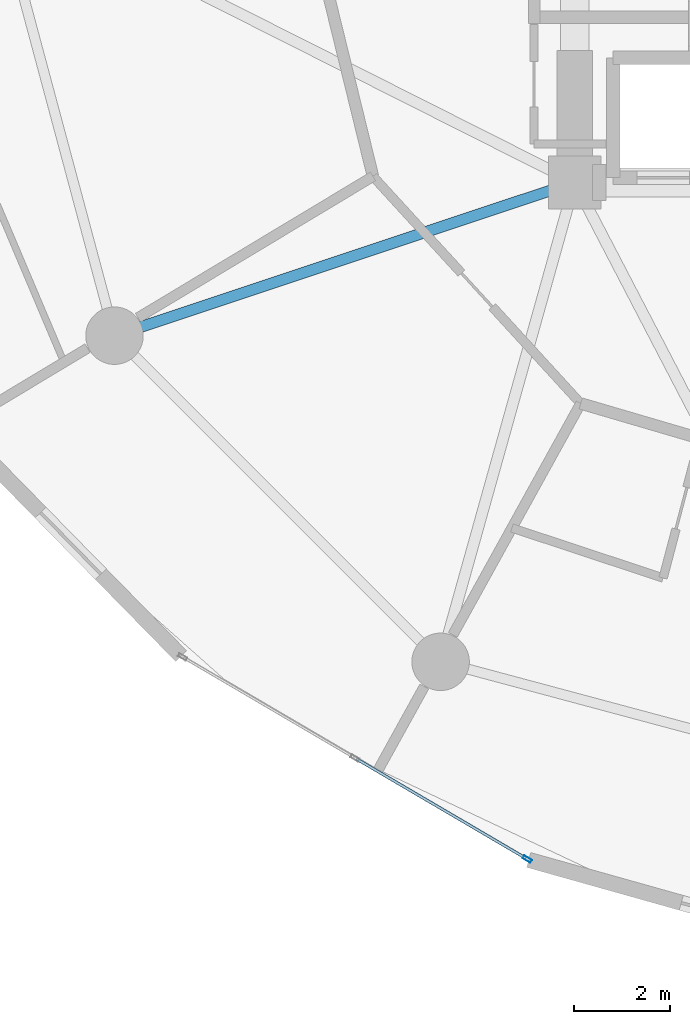
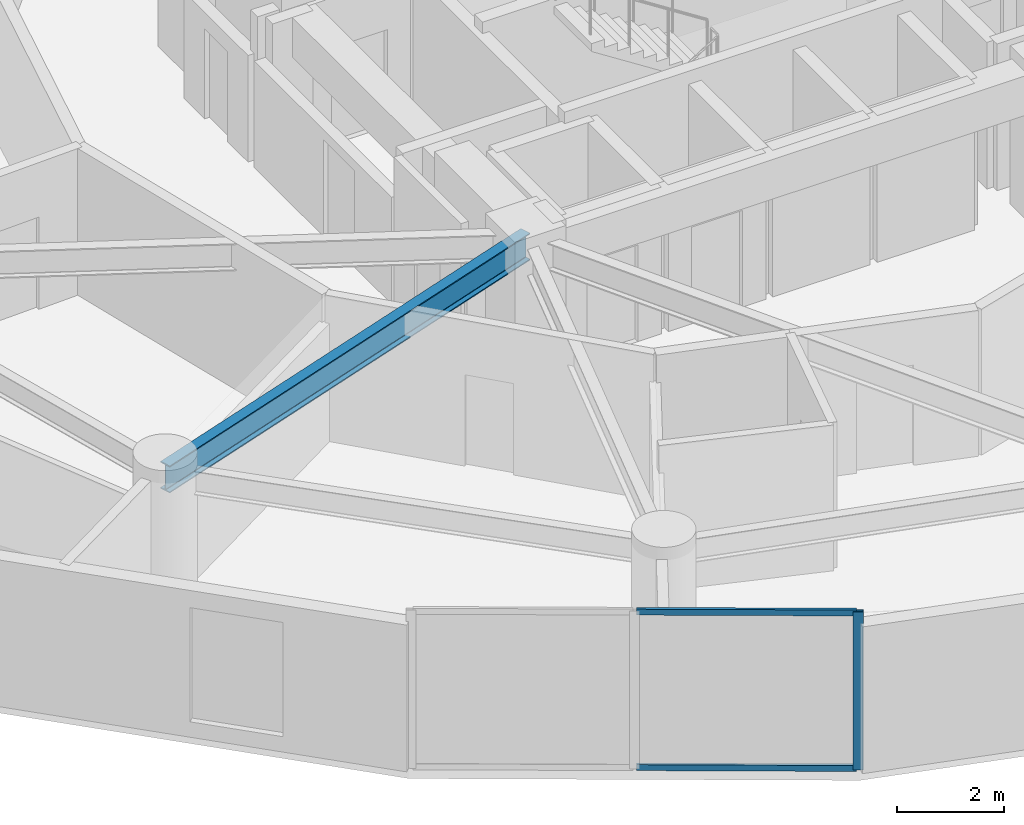
# One storey, part 3 of 24: 3 members, 1 beam, 1 element without a shape of its own.
"""IFC4 building model written with IfcOpenShell, lengths in metres."""

from ifc_helpers import new_model, si_unit, direction, frame, origin, origin_2d, place, context, subcontext, project, spatial, hollow_rectangle, i_section, extrude, source, transform, mapped, material, layer, layer_set, material_profile, profile_set, type_object, element, aggregate, save


model = new_model("IFC4")

# Units and contexts
model_context = context("Model", 3, precision=1e-05, world=origin(), true_north=direction((0.0, 1.0)))
body_context = subcontext(model_context, "Body", "Model", "MODEL_VIEW")
ifc_project = project(units=[si_unit("LENGTHUNIT", "METRE"), si_unit("AREAUNIT", "SQUARE_METRE"), si_unit("VOLUMEUNIT", "CUBIC_METRE"), si_unit("PLANEANGLEUNIT", "RADIAN"), si_unit("MASSUNIT", "GRAM", prefix="KILO")], contexts=[model_context])

# Site, building, storey
site_placement = place(None, origin())
site = spatial("IfcSite", under=ifc_project, at=site_placement, CompositionType="ELEMENT")
building_placement = place(site_placement, origin())
building = spatial("IfcBuilding", under=site, at=building_placement, Name="Solvirekh Grand Hotel", CompositionType="ELEMENT")
storey_placement = place(building_placement, frame((0.0, 0.0, 82.39990234375)))
storey = spatial("IfcBuildingStorey", under=building, at=storey_placement, Name="L20", CompositionType="ELEMENT", Elevation=82.39990234375)

# Beam
ifc_material_1 = material(Name="Steel S355", Category="steel")
ifc_material_profile_1 = material_profile(ifc_material_1, i_section(OverallWidth=0.22998046875, OverallDepth=0.615966796875, WebThickness=0.013916015625, FlangeThickness=0.02392578125, FilletRadius=0.014892578125, at=origin_2d()), Name="W610X174")
ifc_profile_set_1 = profile_set([ifc_material_profile_1], Name="Steel S355")
beam_type = type_object("IfcBeamType", Name="Beam_Primary_W610H", PredefinedType="BEAM", material=ifc_profile_set_1)
beam_placement = place(storey_placement, frame((-6.5, -6.10009765625, 3.031982421875), z_axis=(-0.948762825819, -0.315989082635, 0.0), x_axis=(0.315989082635, -0.948762825819, 0.0)))
element("IfcBeam", 1, at=beam_placement, inside=storey, type_object=beam_type, Name="L20 radial floor beam R08", PredefinedType="BEAM", context=body_context, shape_type="SweptSolid", body=[
    extrude(i_section(OverallWidth=0.22998046875, OverallDepth=0.615966796875, WebThickness=0.013916015625, FlangeThickness=0.02392578125, FilletRadius=0.014892578125, at=origin_2d()), origin(), (0.0, 0.0, 1.0), 10.126708984375),
])

# Curtain wall, members
ifc_material_2 = material(Name="Anodized Bronze Aluminium 6063-T6", Category="aluminium")
ifc_layer = layer(ifc_material_2, 0.18994140625)
ifc_layer_set = layer_set([ifc_layer], Name="Anodized Bronze Aluminium 6063-T6")
curtain_wall_type = type_object("IfcCurtainWallType", Name="CW_Sys2_LowZoneFlushBronzeCW", PredefinedType="NOTDEFINED", material=ifc_layer_set)
curtain_wall_placement = place(storey_placement, origin())
curtain_wall = element("IfcCurtainWall", 2, at=curtain_wall_placement, inside=storey, type_object=curtain_wall_type, Name="L20 unitised bronze-glass curtain wall CW-L20-C15", PredefinedType="NOTDEFINED")
ifc_material_profile_2 = material_profile(ifc_material_2, hollow_rectangle(XDim=0.070068359375, YDim=0.18994140625, WallThickness=0.0048828125, at=origin_2d()), Name="ALU RHS 190X70X5")
ifc_profile_set_2 = profile_set([ifc_material_profile_2], Name="Anodized Bronze Aluminium 6063-T6")
member_type_1 = type_object("IfcMemberType", Name="CWMullion_Sys2", PredefinedType="MULLION", material=ifc_profile_set_2)
shared_shape_1 = source(origin(), body_context, "Body", "SweptSolid", [
    extrude(hollow_rectangle(XDim=0.070068359375, YDim=0.18994140625, WallThickness=0.0048828125, at=origin_2d()), origin(), (0.0, 0.0, 1.0), 3.60009765625),
])
member_1_placement = place(storey_placement, frame((-7.490234375, -20.227294921875, 0.0), z_axis=(0.0, 0.0, 1.0), x_axis=(0.505887267896, 0.86259960131, 0.0)))
member_1 = element("IfcMember", 3, at=member_1_placement, type_object=member_type_1, Name="U02 mullion 3", PredefinedType="MULLION", context=body_context, shape_type="MappedRepresentation", body=[
    mapped(shared_shape_1, transform((0.0, 0.0, 0.0), x_axis=(1.0, 0.0, 0.0), y_axis=(0.0, 1.0, 0.0), z_axis=(0.0, 0.0, 1.0), scale=1.0)),
])
ifc_material_profile_3 = material_profile(ifc_material_2, hollow_rectangle(XDim=0.06005859375, YDim=0.135009765625, WallThickness=0.00390625, at=origin_2d()), Name="ALU RHS 135X60X4")
ifc_profile_set_3 = profile_set([ifc_material_profile_3], Name="Anodized Bronze Aluminium 6063-T6")
member_type_2 = type_object("IfcMemberType", Name="CWTransom_Sys2", PredefinedType="USERDEFINED", material=ifc_profile_set_3)
shared_shape_2 = source(origin(), body_context, "Body", "SweptSolid", [
    extrude(hollow_rectangle(XDim=0.06005859375, YDim=0.135009765625, WallThickness=0.00390625, at=origin_2d()), origin(), (0.0, 0.0, 1.0), 4.1015625),
])
member_2_placement = place(storey_placement, frame((-11.058349609375, -18.134765625, 0.030029296875), z_axis=(0.862628112842, -0.505838649112, 0.0), x_axis=(0.505838649112, 0.862628112842, 0.0)))
member_2 = element("IfcMember", 4, at=member_2_placement, type_object=member_type_2, Name="U02 transom 2.1", ObjectType="TRANSOM", PredefinedType="USERDEFINED", context=body_context, shape_type="MappedRepresentation", body=[
    mapped(shared_shape_2, transform((0.0, 0.0, 0.0), x_axis=(1.0, 0.0, 0.0), y_axis=(0.0, 1.0, 0.0), z_axis=(0.0, 0.0, 1.0), scale=1.0)),
])
member_3_placement = place(storey_placement, frame((-11.058349609375, -18.134765625, 3.570068359375), z_axis=(0.862628112842, -0.505838649112, 0.0), x_axis=(0.505838649112, 0.862628112842, 0.0)))
member_3 = element("IfcMember", 5, at=member_3_placement, type_object=member_type_2, Name="U02 transom 2.2", ObjectType="TRANSOM", PredefinedType="USERDEFINED", context=body_context, shape_type="MappedRepresentation", body=[
    mapped(shared_shape_2, transform((0.0, 0.0, 0.0), x_axis=(1.0, 0.0, 0.0), y_axis=(0.0, 1.0, 0.0), z_axis=(0.0, 0.0, 1.0), scale=1.0)),
])
aggregate(curtain_wall, [member_1, member_2, member_3])

save(model, "model.ifc")
